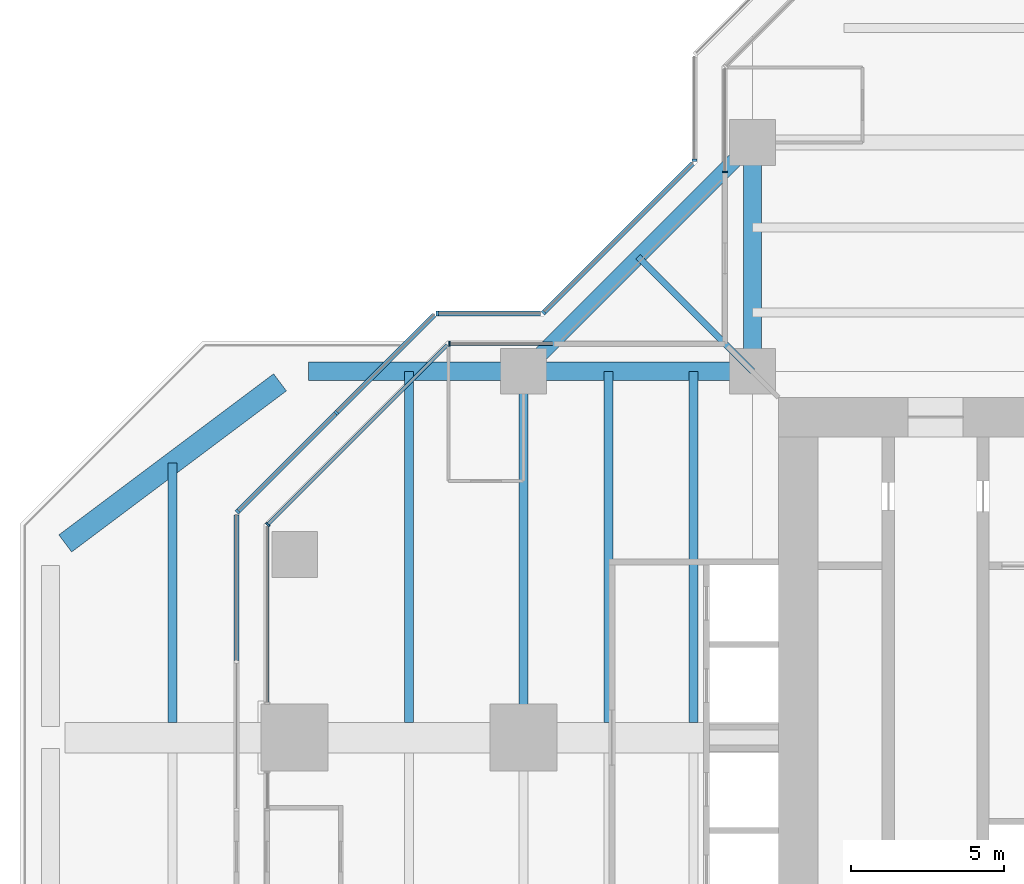
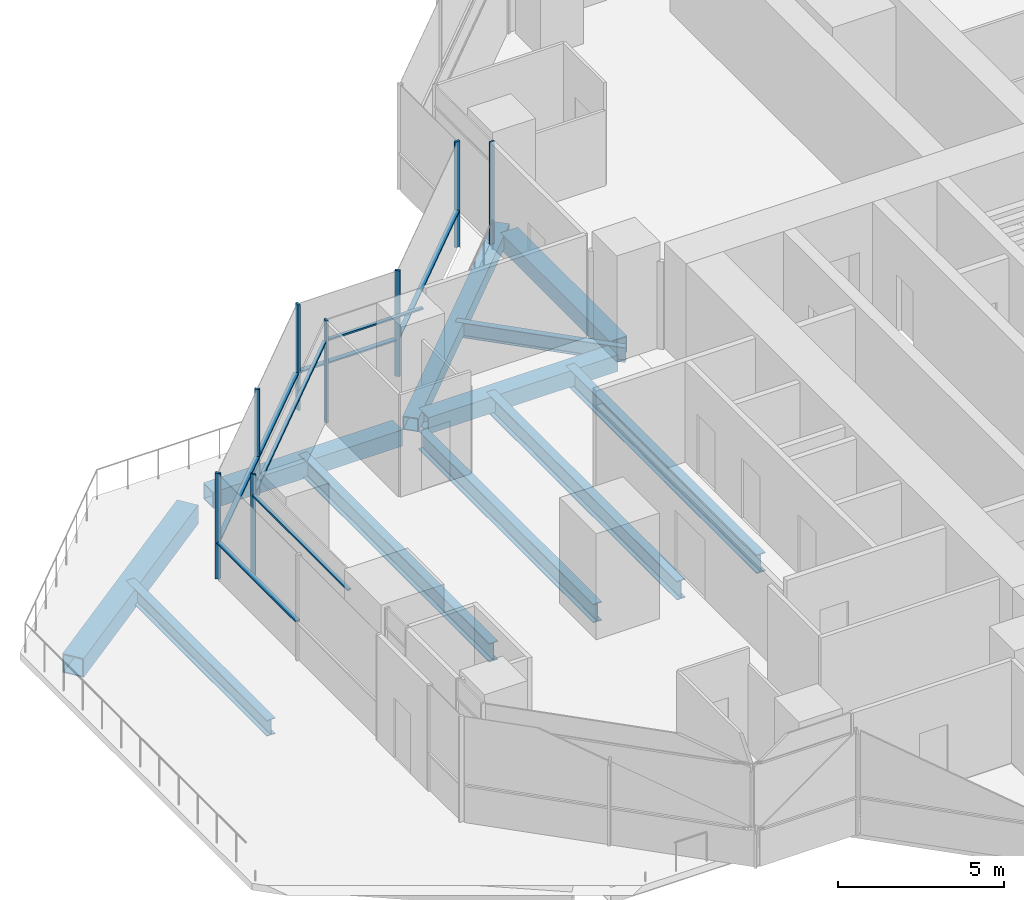
# One storey, part 7 of 19: 16 members, 11 beams, 9 elements without a shape of their own.
"""IFC4 building model written with IfcOpenShell, lengths in metres."""

from ifc_helpers import new_model, si_unit, direction, frame, origin, origin_2d, place, context, subcontext, project, spatial, rectangle, hollow_rectangle, i_section, extrude, material, material_profile, profile_set, type_object, element, aggregate, save


model = new_model("IFC4")

# Units and contexts
model_context = context("Model", 3, precision=1e-05, world=origin(), true_north=direction((0.0, 1.0)))
body_context = subcontext(model_context, "Body", "Model", "MODEL_VIEW")
ifc_project = project(units=[si_unit("LENGTHUNIT", "METRE"), si_unit("AREAUNIT", "SQUARE_METRE"), si_unit("VOLUMEUNIT", "CUBIC_METRE"), si_unit("PLANEANGLEUNIT", "RADIAN"), si_unit("MASSUNIT", "GRAM", prefix="KILO")], contexts=[model_context])

# Site, building, storey
site_placement = place(None, origin())
site = spatial("IfcSite", under=ifc_project, at=site_placement, CompositionType="ELEMENT")
building_placement = place(site_placement, origin())
building = spatial("IfcBuilding", under=site, at=building_placement, Name="Mizan Broadcast Tower", CompositionType="ELEMENT")
storey_placement = place(building_placement, frame((0.0, 0.0, 204.89990234375)))
storey = spatial("IfcBuildingStorey", under=building, at=storey_placement, Name="L47", CompositionType="ELEMENT", Elevation=204.89990234375)

# Beams
ifc_material_1 = material(Name="Steel S355", Category="steel")
ifc_material_profile_1 = material_profile(ifc_material_1, hollow_rectangle(XDim=0.5, YDim=0.5, WallThickness=0.030029296875, at=origin_2d()), Name="BOX 500x500x30")
ifc_profile_set_1 = profile_set([ifc_material_profile_1], Name="Steel S355")
beam_type_1 = type_object("IfcBeamType", Name="EDGE BEAM BOX 500x500x30", PredefinedType="SPANDREL", material=ifc_profile_set_1)
beam_1_placement = place(storey_placement, frame((-12.0, 19.5, -0.3798828125), z_axis=(-0.707106781187, -0.707106781187, 0.0), x_axis=(0.707106781187, -0.707106781187, 0.0)))
element("IfcBeam", 1, at=beam_1_placement, inside=storey, type_object=beam_type_1, Name="Winter garden edge beam L47 N", PredefinedType="SPANDREL", context=body_context, shape_type="SweptSolid", body=[
    extrude(hollow_rectangle(XDim=0.5, YDim=0.5, WallThickness=0.030029296875, at=origin_2d()), origin(), (0.0, 0.0, 1.0), 10.606689453125),
])
ifc_material_2 = material(Name="Steel S355", Category="steel")
ifc_material_profile_2 = material_profile(ifc_material_2, hollow_rectangle(XDim=0.60009765625, YDim=0.60009765625, WallThickness=0.0400390625, at=origin_2d()), Name="BOX 600x600x40")
ifc_profile_set_2 = profile_set([ifc_material_profile_2], Name="Steel S355")
beam_type_2 = type_object("IfcBeamType", Name="EDGE BEAM BOX 600x600x40", PredefinedType="SPANDREL", material=ifc_profile_set_2)
for number, where, z_axis, x_axis, name in (
    (2, (-12.0, 12.449951171875, -0.429931640625), (0.0, 1.0, 0.0), (-1.0, 0.0, 0.0), "Edge beam BOX 600x600x40 L47 north arm"),
    (3, (-12.449951171875, 12.0, -0.429931640625), (-1.0, 0.0, 0.0), (0.0, -1.0, 0.0), "Edge beam BOX 600x600x40 L47 west arm"),
    (4, (-19.949951171875, 12.0, -0.5498046875), (-1.0, 0.0, 0.0), (0.0, -1.0, 0.0), "Edge beam BOX 600x600x40 L47 west arm"),
):
    element("IfcBeam", number, at=place(storey_placement, frame(where, z_axis=z_axis, x_axis=x_axis)), inside=storey, type_object=beam_type_2, Name=name, PredefinedType="SPANDREL", context=body_context, shape_type="SweptSolid", body=[
        extrude(hollow_rectangle(XDim=0.60009765625, YDim=0.60009765625, WallThickness=0.0400390625, at=origin_2d()), origin(), (0.0, 0.0, 1.0), 6.60009765625),
    ])
ifc_material_3 = material(Name="Steel S355", Category="steel")
ifc_material_profile_3 = material_profile(ifc_material_3, hollow_rectangle(XDim=0.699951171875, YDim=0.699951171875, WallThickness=0.0400390625, at=origin_2d()), Name="BOX 700x700x40")
ifc_profile_set_3 = profile_set([ifc_material_profile_3], Name="Steel S355")
beam_type_3 = type_object("IfcBeamType", Name="EDGE BEAM BOX 700x700x40", PredefinedType="SPANDREL", material=ifc_profile_set_3)
beam_2_placement = place(storey_placement, frame((-27.47998046875, 11.639892578125, -0.599853515625), z_axis=(-0.800013316712, -0.599982243973, 0.0), x_axis=(0.599982243973, -0.800013316712, 0.0)))
element("IfcBeam", 5, at=beam_2_placement, inside=storey, type_object=beam_type_3, Name="Edge beam BOX 700x700x40 L47 west arm", PredefinedType="SPANDREL", context=body_context, shape_type="SweptSolid", body=[
    extrude(hollow_rectangle(XDim=0.699951171875, YDim=0.699951171875, WallThickness=0.0400390625, at=origin_2d()), origin(), (0.0, 0.0, 1.0), 8.7998046875),
])
ifc_material_4 = material(Name="Steel S355", Category="steel")
ifc_material_profile_4 = material_profile(ifc_material_4, i_section(OverallWidth=0.300048828125, OverallDepth=0.68994140625, WebThickness=0.014404296875, FlangeThickness=0.027099609375, FilletRadius=0.027099609375, at=origin_2d()), Name="HEA 700")
ifc_profile_set_4 = profile_set([ifc_material_profile_4], Name="Steel S355")
beam_type_4 = type_object("IfcBeamType", Name="GIRDER HEA 700", PredefinedType="BEAM", material=ifc_profile_set_4)
beam_3_placement = place(storey_placement, frame((-19.5, 11.280029296875, -0.474853515625), z_axis=(0.0, -1.0, 0.0), x_axis=(1.0, 0.0, 0.0)))
element("IfcBeam", 6, at=beam_3_placement, inside=storey, type_object=beam_type_4, Name="Girder HEA 700 L47 west arm", PredefinedType="BEAM", context=body_context, shape_type="SweptSolid", body=[
    extrude(i_section(OverallWidth=0.300048828125, OverallDepth=0.68994140625, WebThickness=0.014404296875, FlangeThickness=0.027099609375, FilletRadius=0.027099609375, at=origin_2d()), origin(), (0.0, 0.0, 1.0), 10.56005859375),
])

# Curtain wall, member
ifc_material_5 = material(Name="Aluminium framed glazing", Category="aluminium")
curtain_wall_type_1 = type_object("IfcCurtainWallType", Name="INNER SKIN HIGH ZONE", PredefinedType="USERDEFINED", material=ifc_material_5)
curtain_wall_1_placement = place(storey_placement, origin())
curtain_wall_1 = element("IfcCurtainWall", 7, at=curtain_wall_1_placement, inside=storey, type_object=curtain_wall_type_1, Name="Inner skin high zone L47 N side", ObjectType="INNER SKIN HIGH ZONE", PredefinedType="USERDEFINED")
ifc_material_6 = material(Name="Aluminium, pale anodised", Category="aluminium")
ifc_material_profile_5 = material_profile(ifc_material_6, rectangle(XDim=0.159912109375, YDim=0.06005859375, at=origin_2d()), Name="MULLION 160x60")
ifc_profile_set_5 = profile_set([ifc_material_profile_5], Name="Aluminium, pale anodised")
member_type_1 = type_object("IfcMemberType", Name="INNER SKIN MULLION 60x160", PredefinedType="MULLION", material=ifc_profile_set_5)
member_1_placement = place(storey_placement, frame((-12.89990234375, 18.530029296875, 0.0), z_axis=(0.0, 0.0, 1.0), x_axis=(1.0, 0.0, 0.0)))
member_1 = element("IfcMember", 8, at=member_1_placement, type_object=member_type_1, Name="Inner skin high zone L47 N side mullion 2", PredefinedType="MULLION", context=body_context, shape_type="SweptSolid", body=[
    extrude(rectangle(XDim=0.159912109375, YDim=0.06005859375, at=origin_2d()), origin(), (0.0, 0.0, 1.0), 3.77001953125),
])
aggregate(curtain_wall_1, [member_1])

curtain_wall_2_placement = place(storey_placement, origin())
curtain_wall_2 = element("IfcCurtainWall", 9, at=curtain_wall_2_placement, inside=storey, type_object=curtain_wall_type_1, Name="Inner skin high zone L47 W side", ObjectType="INNER SKIN HIGH ZONE", PredefinedType="USERDEFINED")
member_2_placement = place(storey_placement, frame((-21.928466796875, 12.89990234375, 0.0), z_axis=(0.0, 0.0, 1.0), x_axis=(0.0, -1.0, 0.0)))
member_2 = element("IfcMember", 10, at=member_2_placement, type_object=member_type_1, Name="Inner skin high zone L47 W side mullion 2", PredefinedType="MULLION", context=body_context, shape_type="SweptSolid", body=[
    extrude(rectangle(XDim=0.159912109375, YDim=0.06005859375, at=origin_2d()), origin(), (0.0, 0.0, 1.0), 3.77001953125),
])

curtain_wall_3_placement = place(storey_placement, origin())
curtain_wall_3 = element("IfcCurtainWall", 11, at=curtain_wall_3_placement, inside=storey, type_object=curtain_wall_type_1, Name="Inner skin high zone L47 W chamfer", ObjectType="INNER SKIN HIGH ZONE", PredefinedType="USERDEFINED")
member_3_placement = place(storey_placement, frame((-27.87890625, 6.979736328125, 0.0), z_axis=(0.0, 0.0, 1.0), x_axis=(0.707106781187, -0.707106781187, 0.0)))
member_3 = element("IfcMember", 12, at=member_3_placement, type_object=member_type_1, Name="Inner skin high zone L47 W chamfer mullion 2", PredefinedType="MULLION", context=body_context, shape_type="SweptSolid", body=[
    extrude(rectangle(XDim=0.159912109375, YDim=0.06005859375, at=origin_2d()), origin(), (0.0, 0.0, 1.0), 3.77001953125),
])

# Member
ifc_material_7 = material(Name="Aluminium, pale anodised", Category="aluminium")
ifc_material_profile_6 = material_profile(ifc_material_7, rectangle(XDim=0.1201171875, YDim=0.06005859375, at=origin_2d()), Name="TRANSOM 120x60")
ifc_profile_set_6 = profile_set([ifc_material_profile_6], Name="Aluminium, pale anodised")
member_type_2 = type_object("IfcMemberType", Name="INNER SKIN TRANSOM 60x120", PredefinedType="USERDEFINED", material=ifc_profile_set_6)
member_4_placement = place(storey_placement, frame((-18.56005859375, 12.89990234375, 3.030029296875), z_axis=(-1.0, 0.0, 0.0), x_axis=(0.0, -1.0, 0.0)))
member_4 = element("IfcMember", 13, at=member_4_placement, type_object=member_type_2, Name="Inner skin high zone L47 W side transom 1.1", ObjectType="TRANSOM", PredefinedType="USERDEFINED", context=body_context, shape_type="SweptSolid", body=[
    extrude(rectangle(XDim=0.1201171875, YDim=0.06005859375, at=origin_2d()), origin(), (0.0, 0.0, 1.0), 3.338623046875),
])

aggregate(curtain_wall_2, [member_2, member_4])

member_5_placement = place(storey_placement, frame((-22.0009765625, 12.857666015625, 3.030029296875), z_axis=(-0.707106781187, -0.707106781187, 0.0), x_axis=(0.707106781187, -0.707106781187, 0.0)))
member_5 = element("IfcMember", 14, at=member_5_placement, type_object=member_type_2, Name="Inner skin high zone L47 W chamfer transom 1.1", ObjectType="TRANSOM", PredefinedType="USERDEFINED", context=body_context, shape_type="SweptSolid", body=[
    extrude(rectangle(XDim=0.1201171875, YDim=0.06005859375, at=origin_2d()), origin(), (0.0, 0.0, 1.0), 8.28271484375),
])

aggregate(curtain_wall_3, [member_3, member_5])

# Curtain wall, member
curtain_wall_4_placement = place(storey_placement, origin())
curtain_wall_4 = element("IfcCurtainWall", 15, at=curtain_wall_4_placement, inside=storey, type_object=curtain_wall_type_1, Name="Inner skin high zone L47 W end", ObjectType="INNER SKIN HIGH ZONE", PredefinedType="USERDEFINED")
member_6_placement = place(storey_placement, frame((-27.89990234375, 6.898681640625, 3.030029296875), z_axis=(0.0, -1.0, 0.0), x_axis=(1.0, 0.0, 0.0)))
member_6 = element("IfcMember", 16, at=member_6_placement, type_object=member_type_2, Name="Inner skin high zone L47 W end transom 1.1", ObjectType="TRANSOM", PredefinedType="USERDEFINED", context=body_context, shape_type="SweptSolid", body=[
    extrude(rectangle(XDim=0.1201171875, YDim=0.06005859375, at=origin_2d()), origin(), (0.0, 0.0, 1.0), 5.73876953125),
])
aggregate(curtain_wall_4, [member_6])

ifc_material_8 = material(Name="Aluminium framed glazing", Category="aluminium")
curtain_wall_type_2 = type_object("IfcCurtainWallType", Name="OUTER SKIN", PredefinedType="USERDEFINED", material=ifc_material_8)
curtain_wall_5_placement = place(storey_placement, origin())
curtain_wall_5 = element("IfcCurtainWall", 17, at=curtain_wall_5_placement, inside=storey, type_object=curtain_wall_type_2, Name="Outer skin L47 N side", ObjectType="OUTER SKIN", PredefinedType="USERDEFINED")
ifc_material_9 = material(Name="Aluminium, pale anodised", Category="aluminium")
ifc_material_profile_7 = material_profile(ifc_material_9, rectangle(XDim=0.159912109375, YDim=0.080078125, at=origin_2d()), Name="MULLION 160x80")
ifc_profile_set_7 = profile_set([ifc_material_profile_7], Name="Aluminium, pale anodised")
member_type_3 = type_object("IfcMemberType", Name="OUTER SKIN MULLION 80x160", PredefinedType="MULLION", material=ifc_profile_set_7)
member_7_placement = place(storey_placement, frame((-13.89990234375, 18.912841796875, 0.0), z_axis=(0.0, 0.0, 1.0), x_axis=(1.0, 0.0, 0.0)))
member_7 = element("IfcMember", 18, at=member_7_placement, type_object=member_type_3, Name="Outer skin L47 N side mullion 2", PredefinedType="MULLION", context=body_context, shape_type="SweptSolid", body=[
    extrude(rectangle(XDim=0.159912109375, YDim=0.080078125, at=origin_2d()), origin(), (0.0, 0.0, 1.0), 3.900146484375),
])
aggregate(curtain_wall_5, [member_7])

curtain_wall_6_placement = place(storey_placement, origin())
curtain_wall_6 = element("IfcCurtainWall", 19, at=curtain_wall_6_placement, inside=storey, type_object=curtain_wall_type_2, Name="Outer skin L47 W chamfer", ObjectType="OUTER SKIN", PredefinedType="USERDEFINED")
member_8_placement = place(storey_placement, frame((-18.844482421875, 13.92822265625, 0.0), z_axis=(0.0, 0.0, 1.0), x_axis=(0.707106781187, -0.707106781187, 0.0)))
member_8 = element("IfcMember", 20, at=member_8_placement, type_object=member_type_3, Name="Outer skin L47 W chamfer mullion 2", PredefinedType="MULLION", context=body_context, shape_type="SweptSolid", body=[
    extrude(rectangle(XDim=0.159912109375, YDim=0.080078125, at=origin_2d()), origin(), (0.0, 0.0, 1.0), 3.900146484375),
])

curtain_wall_7_placement = place(storey_placement, origin())
curtain_wall_7 = element("IfcCurtainWall", 21, at=curtain_wall_7_placement, inside=storey, type_object=curtain_wall_type_2, Name="Outer skin L47 W side", ObjectType="OUTER SKIN", PredefinedType="USERDEFINED")
member_9_placement = place(storey_placement, frame((-22.332763671875, 13.89990234375, 0.0), z_axis=(0.0, 0.0, 1.0), x_axis=(0.0, -1.0, 0.0)))
member_9 = element("IfcMember", 22, at=member_9_placement, type_object=member_type_3, Name="Outer skin L47 W side mullion 2", PredefinedType="MULLION", context=body_context, shape_type="SweptSolid", body=[
    extrude(rectangle(XDim=0.159912109375, YDim=0.080078125, at=origin_2d()), origin(), (0.0, 0.0, 1.0), 3.900146484375),
])

# Curtain wall, members
curtain_wall_8_placement = place(storey_placement, origin())
curtain_wall_8 = element("IfcCurtainWall", 23, at=curtain_wall_8_placement, inside=storey, type_object=curtain_wall_type_2, Name="Outer skin L47 W chamfer", ObjectType="OUTER SKIN", PredefinedType="USERDEFINED")
member_10_placement = place(storey_placement, frame((-25.636474609375, 10.636474609375, 0.0), z_axis=(0.0, 0.0, 1.0), x_axis=(0.707106781187, -0.707106781187, 0.0)))
member_10 = element("IfcMember", 24, at=member_10_placement, type_object=member_type_3, Name="Outer skin L47 W chamfer mullion 2", PredefinedType="MULLION", context=body_context, shape_type="SweptSolid", body=[
    extrude(rectangle(XDim=0.159912109375, YDim=0.080078125, at=origin_2d()), origin(), (0.0, 0.0, 1.0), 3.900146484375),
])
member_11_placement = place(storey_placement, frame((-28.871826171875, 7.401123046875, 0.0), z_axis=(0.0, 0.0, 1.0), x_axis=(0.707106781187, -0.707106781187, 0.0)))
member_11 = element("IfcMember", 25, at=member_11_placement, type_object=member_type_3, Name="Outer skin L47 W chamfer mullion 3", PredefinedType="MULLION", context=body_context, shape_type="SweptSolid", body=[
    extrude(rectangle(XDim=0.159912109375, YDim=0.080078125, at=origin_2d()), origin(), (0.0, 0.0, 1.0), 3.900146484375),
])

# Member
ifc_material_10 = material(Name="Aluminium, pale anodised", Category="aluminium")
ifc_material_profile_8 = material_profile(ifc_material_10, rectangle(XDim=0.159912109375, YDim=0.06005859375, at=origin_2d()), Name="TRANSOM 160x60")
ifc_profile_set_8 = profile_set([ifc_material_profile_8], Name="Aluminium, pale anodised")
member_type_4 = type_object("IfcMemberType", Name="OUTER SKIN TRANSOM 60x160", PredefinedType="USERDEFINED", material=ifc_profile_set_8)
member_12_placement = place(storey_placement, frame((-13.95654296875, 18.816162109375, 1.400146484375), z_axis=(-0.707106781187, -0.707106781187, 0.0), x_axis=(0.707106781187, -0.707106781187, 0.0)))
member_12 = element("IfcMember", 26, at=member_12_placement, type_object=member_type_4, Name="Outer skin L47 W chamfer transom 1.1", ObjectType="TRANSOM", PredefinedType="USERDEFINED", context=body_context, shape_type="SweptSolid", body=[
    extrude(rectangle(XDim=0.159912109375, YDim=0.06005859375, at=origin_2d()), origin(), (0.0, 0.0, 1.0), 6.87255859375),
])

aggregate(curtain_wall_6, [member_8, member_12])

member_13_placement = place(storey_placement, frame((-18.952880859375, 13.89990234375, 1.400146484375), z_axis=(-1.0, 0.0, 0.0), x_axis=(0.0, -1.0, 0.0)))
member_13 = element("IfcMember", 27, at=member_13_placement, type_object=member_type_4, Name="Outer skin L47 W side transom 1.1", ObjectType="TRANSOM", PredefinedType="USERDEFINED", context=body_context, shape_type="SweptSolid", body=[
    extrude(rectangle(XDim=0.159912109375, YDim=0.06005859375, at=origin_2d()), origin(), (0.0, 0.0, 1.0), 3.33984375),
])

aggregate(curtain_wall_7, [member_9, member_13])

member_14_placement = place(storey_placement, frame((-22.429443359375, 13.843505859375, 1.400146484375), z_axis=(-0.707106781187, -0.707106781187, 0.0), x_axis=(0.707106781187, -0.707106781187, 0.0)))
member_14 = element("IfcMember", 28, at=member_14_placement, type_object=member_type_4, Name="Outer skin L47 W chamfer transom 1.1", ObjectType="TRANSOM", PredefinedType="USERDEFINED", context=body_context, shape_type="SweptSolid", body=[
    extrude(rectangle(XDim=0.159912109375, YDim=0.06005859375, at=origin_2d()), origin(), (0.0, 0.0, 1.0), 4.495361328125),
])

member_15_placement = place(storey_placement, frame((-25.664794921875, 10.608154296875, 1.400146484375), z_axis=(-0.707106781187, -0.707106781187, 0.0), x_axis=(0.707106781187, -0.707106781187, 0.0)))
member_15 = element("IfcMember", 29, at=member_15_placement, type_object=member_type_4, Name="Outer skin L47 W chamfer transom 2.1", ObjectType="TRANSOM", PredefinedType="USERDEFINED", context=body_context, shape_type="SweptSolid", body=[
    extrude(rectangle(XDim=0.159912109375, YDim=0.06005859375, at=origin_2d()), origin(), (0.0, 0.0, 1.0), 4.495361328125),
])

aggregate(curtain_wall_8, [member_10, member_11, member_14, member_15])

# Curtain wall, member
curtain_wall_9_placement = place(storey_placement, origin())
curtain_wall_9 = element("IfcCurtainWall", 30, at=curtain_wall_9_placement, inside=storey, type_object=curtain_wall_type_2, Name="Outer skin L47 W end", ObjectType="OUTER SKIN", PredefinedType="USERDEFINED")
member_16_placement = place(storey_placement, frame((-28.89990234375, 7.292724609375, 1.400146484375), z_axis=(0.0, -1.0, 0.0), x_axis=(1.0, 0.0, 0.0)))
member_16 = element("IfcMember", 31, at=member_16_placement, type_object=member_type_4, Name="Outer skin L47 W end transom 1.1", ObjectType="TRANSOM", PredefinedType="USERDEFINED", context=body_context, shape_type="SweptSolid", body=[
    extrude(rectangle(XDim=0.159912109375, YDim=0.06005859375, at=origin_2d()), origin(), (0.0, 0.0, 1.0), 4.766357421875),
])
aggregate(curtain_wall_9, [member_16])

# Beams
ifc_material_11 = material(Name="Steel S355", Category="steel")
ifc_material_profile_9 = material_profile(ifc_material_11, i_section(OverallWidth=0.300048828125, OverallDepth=0.590087890625, WebThickness=0.012939453125, FlangeThickness=0.02490234375, FilletRadius=0.027099609375, at=origin_2d()), Name="HEA 600")
ifc_profile_set_9 = profile_set([ifc_material_profile_9], Name="Steel S355")
beam_type_5 = type_object("IfcBeamType", Name="SECONDARY BEAM HEA 600", PredefinedType="JOIST", material=ifc_profile_set_9)
beam_4_placement = place(storey_placement, frame((-31.0, 9.0, -0.544921875), z_axis=(0.0, -1.0, 0.0), x_axis=(1.0, 0.0, 0.0)))
element("IfcBeam", 32, at=beam_4_placement, inside=storey, type_object=beam_type_5, Name="Secondary beam HEA 600 L47 west arm", PredefinedType="JOIST", context=body_context, shape_type="SweptSolid", body=[
    extrude(i_section(OverallWidth=0.300048828125, OverallDepth=0.590087890625, WebThickness=0.012939453125, FlangeThickness=0.02490234375, FilletRadius=0.027099609375, at=origin_2d()), origin(), (0.0, 0.0, 1.0), 8.5),
])
ifc_material_12 = material(Name="Steel S355", Category="steel")
ifc_material_profile_10 = material_profile(ifc_material_12, i_section(OverallWidth=0.300048828125, OverallDepth=0.68994140625, WebThickness=0.014404296875, FlangeThickness=0.027099609375, FilletRadius=0.027099609375, at=origin_2d()), Name="HEA 700")
ifc_profile_set_10 = profile_set([ifc_material_profile_10], Name="Steel S355")
beam_type_6 = type_object("IfcBeamType", Name="SECONDARY BEAM HEA 700", PredefinedType="JOIST", material=ifc_profile_set_10)
for number, where, z_axis, x_axis, name in (
    (33, (-13.933349609375, 12.0, -0.474853515625), (0.0, -1.0, 0.0), (1.0, 0.0, 0.0), "Secondary beam HEA 700 L47 west arm"),
    (34, (-16.716552734375, 12.0, -0.474853515625), (0.0, -1.0, 0.0), (1.0, 0.0, 0.0), "Secondary beam HEA 700 L47 west arm"),
    (35, (-23.25, 12.0, -0.474853515625), (0.0, -1.0, 0.0), (1.0, 0.0, 0.0), "Secondary beam HEA 700 L47 west arm"),
):
    element("IfcBeam", number, at=place(storey_placement, frame(where, z_axis=z_axis, x_axis=x_axis)), inside=storey, type_object=beam_type_6, Name=name, PredefinedType="JOIST", context=body_context, shape_type="SweptSolid", body=[
        extrude(i_section(OverallWidth=0.300048828125, OverallDepth=0.68994140625, WebThickness=0.014404296875, FlangeThickness=0.027099609375, FilletRadius=0.027099609375, at=origin_2d()), origin(), (0.0, 0.0, 1.0), 11.5),
    ])
ifc_material_13 = material(Name="Steel S355", Category="steel")
ifc_material_profile_11 = material_profile(ifc_material_13, i_section(OverallWidth=0.2099609375, OverallDepth=0.550048828125, WebThickness=0.010986328125, FlangeThickness=0.01708984375, FilletRadius=0.02392578125, at=origin_2d()), Name="IPE 550")
ifc_profile_set_11 = profile_set([ifc_material_profile_11], Name="Steel S355")
beam_type_7 = type_object("IfcBeamType", Name="SECONDARY BEAM IPE 550", PredefinedType="JOIST", material=ifc_profile_set_11)
beam_5_placement = place(storey_placement, frame((-12.0, 12.0, -0.40478515625), z_axis=(-0.707106781187, 0.707106781187, 0.0), x_axis=(-0.707106781187, -0.707106781187, 0.0)))
element("IfcBeam", 36, at=beam_5_placement, inside=storey, type_object=beam_type_7, Name="Winter garden beam L47 N", PredefinedType="JOIST", context=body_context, shape_type="SweptSolid", body=[
    extrude(i_section(OverallWidth=0.2099609375, OverallDepth=0.550048828125, WebThickness=0.010986328125, FlangeThickness=0.01708984375, FilletRadius=0.02392578125, at=origin_2d()), origin(), (0.0, 0.0, 1.0), 5.30322265625),
])

save(model, "model.ifc")
